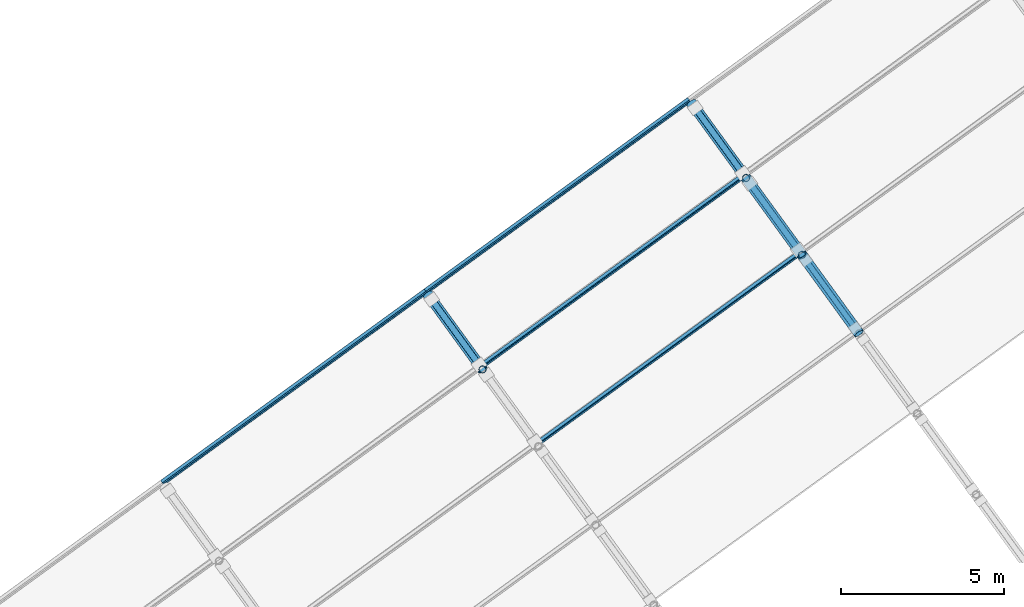
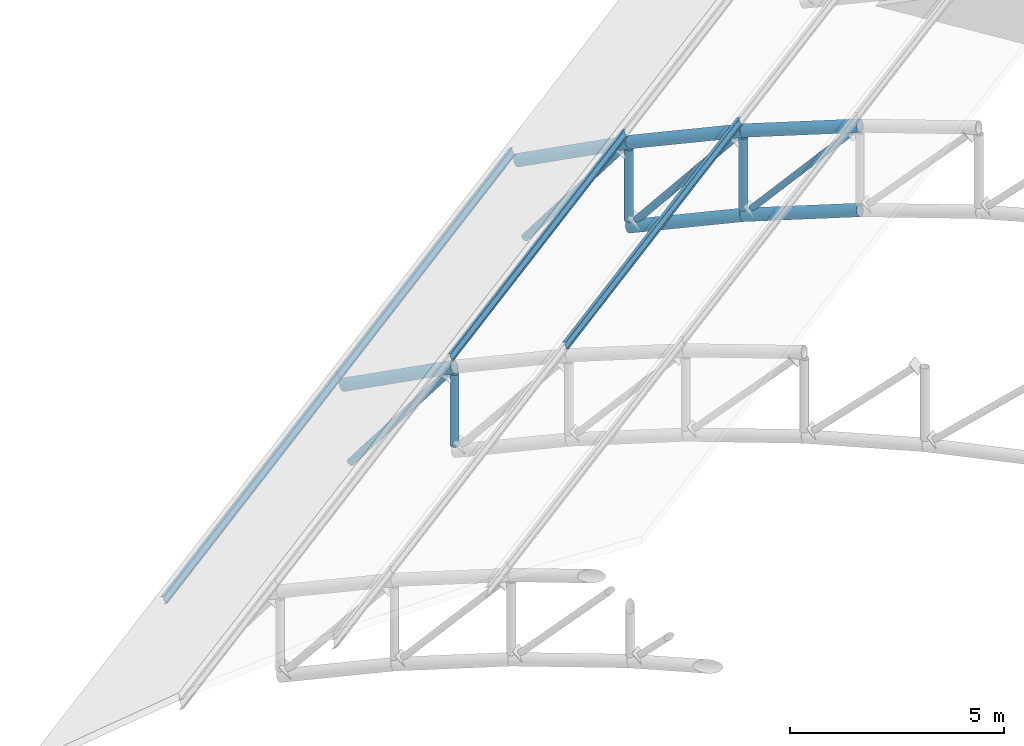
# One storey, part 29 of 69: 13 members, 4 beams.
"""IFC4 building model written with IfcOpenShell, lengths in metres."""

from ifc_helpers import new_model, si_unit, direction, frame, origin, origin_2d, place, context, subcontext, project, spatial, hollow_circle, i_section, extrude, material, material_profile, profile_set, type_object, element, save


model = new_model("IFC4")

# Units and contexts
model_context = context("Model", 3, precision=1e-05, world=origin(), true_north=direction((0.0, 1.0)))
body_context = subcontext(model_context, "Body", "Model", "MODEL_VIEW")
ifc_project = project(units=[si_unit("LENGTHUNIT", "METRE"), si_unit("AREAUNIT", "SQUARE_METRE"), si_unit("VOLUMEUNIT", "CUBIC_METRE"), si_unit("PLANEANGLEUNIT", "RADIAN"), si_unit("MASSUNIT", "GRAM", prefix="KILO")], contexts=[model_context])

# Site, building, storey
site_placement = place(None, origin())
site = spatial("IfcSite", under=ifc_project, at=site_placement, CompositionType="ELEMENT")
building_placement = place(site_placement, origin())
building = spatial("IfcBuilding", under=site, at=building_placement, Name="Okhra Congress Centre", CompositionType="ELEMENT")
storey_placement = place(building_placement, frame((0.0, 0.0, 16.800048828125)))
storey = spatial("IfcBuildingStorey", under=building, at=storey_placement, Name="L03", CompositionType="ELEMENT", Elevation=16.800048828125)

# Members
ifc_material_1 = material(Name="Steel S355J2H", Category="steel")
ifc_material_profile_1 = material_profile(ifc_material_1, hollow_circle(Radius=0.084228515625, WallThickness=0.00634765625, at=origin_2d()), Name="CHS 168.3x6.3")
ifc_profile_set_1 = profile_set([ifc_material_profile_1], Name="Steel S355J2H")
member_type_1 = type_object("IfcMemberType", Name="CHS 168.3x6.3", PredefinedType="BRACE", material=ifc_profile_set_1)
member_1_placement = place(storey_placement, frame((243.663818359375, 222.106689453125, 0.876220703125), z_axis=(0.388305830606, -0.534492302501, 0.750690722258), x_axis=(0.809035390265, 0.587759931689, 0.0)))
element("IfcMember", 1, at=member_1_placement, inside=storey, type_object=member_type_1, Name="Truss 6 diagonal 15", PredefinedType="BRACE", context=body_context, shape_type="SweptSolid", body=[
    extrude(hollow_circle(Radius=0.084228515625, WallThickness=0.00634765625, at=origin_2d()), origin(), (0.0, 0.0, 1.0), 3.8427734375),
])
ifc_material_profile_2 = material_profile(ifc_material_1, hollow_circle(Radius=0.096923828125, WallThickness=0.010009765625, at=origin_2d()), Name="CHS 193.7x10")
ifc_profile_set_2 = profile_set([ifc_material_profile_2], Name="Steel S355J2H")
member_type_2 = type_object("IfcMemberType", Name="CHS 193.7x10", PredefinedType="BRACE", material=ifc_profile_set_2)
member_2_placement = place(storey_placement, frame((232.169677734375, 220.913818359375, -1.60595703125), z_axis=(0.356744311991, -0.491020413212, 0.794753074654), x_axis=(0.809019266757, 0.587782124615, 0.0)))
element("IfcMember", 2, at=member_2_placement, inside=storey, type_object=member_type_2, Name="Truss 5 diagonal 17", PredefinedType="BRACE", context=body_context, shape_type="SweptSolid", body=[
    extrude(hollow_circle(Radius=0.096923828125, WallThickness=0.010009765625, at=origin_2d()), origin(), (0.0, 0.0, 1.0), 4.052734375),
])
member_3_placement = place(storey_placement, frame((241.9404296875, 224.478759765625, -0.28076171875), z_axis=(0.372698991022, -0.51302445178, 0.773240825336), x_axis=(0.809043308787, 0.587749031907, 0.0)))
element("IfcMember", 3, at=member_3_placement, inside=storey, type_object=member_type_2, Name="Truss 6 diagonal 16", PredefinedType="BRACE", context=body_context, shape_type="SweptSolid", body=[
    extrude(hollow_circle(Radius=0.096923828125, WallThickness=0.010009765625, at=origin_2d()), origin(), (0.0, 0.0, 1.0), 3.95458984375),
])
member_4_placement = place(storey_placement, frame((240.259765625, 226.791748046875, -1.60595703125), z_axis=(0.356744311991, -0.491020413212, 0.794753074654), x_axis=(0.809019266757, 0.587782124615, 0.0)))
element("IfcMember", 4, at=member_4_placement, inside=storey, type_object=member_type_2, Name="Truss 6 diagonal 17", PredefinedType="BRACE", context=body_context, shape_type="SweptSolid", body=[
    extrude(hollow_circle(Radius=0.096923828125, WallThickness=0.010009765625, at=origin_2d()), origin(), (0.0, 0.0, 1.0), 4.052734375),
])
ifc_material_profile_3 = material_profile(ifc_material_1, hollow_circle(Radius=0.109619140625, WallThickness=0.008056640625, at=origin_2d()), Name="CHS 219.1x8")
ifc_profile_set_3 = profile_set([ifc_material_profile_3], Name="Steel S355J2H")
member_type_3 = type_object("IfcMemberType", Name="CHS 219.1x8", PredefinedType="POST", material=ifc_profile_set_3)
member_5_placement = place(storey_placement, frame((233.729248046875, 218.767333984375, -0.353271484375), z_axis=(0.0, 0.0, 1.0), x_axis=(1.0, 0.0, 0.0)))
element("IfcMember", 5, at=member_5_placement, inside=storey, type_object=member_type_3, Name="Truss 5 post 16", PredefinedType="POST", context=body_context, shape_type="SweptSolid", body=[
    extrude(hollow_circle(Radius=0.109619140625, WallThickness=0.008056640625, at=origin_2d()), origin(), (0.0, 0.0, 1.0), 2.043212890625),
])
member_6_placement = place(storey_placement, frame((243.535400390625, 222.283447265625, 0.80224609375), z_axis=(0.0, 0.0, 1.0), x_axis=(1.0, 0.0, 0.0)))
element("IfcMember", 6, at=member_6_placement, inside=storey, type_object=member_type_3, Name="Truss 6 post 15", PredefinedType="POST", context=body_context, shape_type="SweptSolid", body=[
    extrude(hollow_circle(Radius=0.109619140625, WallThickness=0.008056640625, at=origin_2d()), origin(), (0.0, 0.0, 1.0), 2.05126953125),
])
member_7_placement = place(storey_placement, frame((241.8193359375, 224.64501953125, -0.353271484375), z_axis=(0.0, 0.0, 1.0), x_axis=(1.0, 0.0, 0.0)))
element("IfcMember", 7, at=member_7_placement, inside=storey, type_object=member_type_3, Name="Truss 6 post 16", PredefinedType="POST", context=body_context, shape_type="SweptSolid", body=[
    extrude(hollow_circle(Radius=0.109619140625, WallThickness=0.008056640625, at=origin_2d()), origin(), (0.0, 0.0, 1.0), 2.043212890625),
])
ifc_material_profile_4 = material_profile(ifc_material_1, hollow_circle(Radius=0.161865234375, WallThickness=0.012451171875, at=origin_2d()), Name="CHS 323.9x12.5")
ifc_profile_set_4 = profile_set([ifc_material_profile_4], Name="Steel S355J2H")
member_type_4 = type_object("IfcMemberType", Name="CHS 323.9x12.5", PredefinedType="CHORD", material=ifc_profile_set_4)
member_8_placement = place(storey_placement, frame((233.729248046875, 218.767333984375, 1.8681640625), z_axis=(-0.532744724434, 0.733204112283, -0.422604766085), x_axis=(-0.808995610274, -0.587814683856, 0.0)))
element("IfcMember", 8, at=member_8_placement, inside=storey, type_object=member_type_4, Name="Truss 5 top chord 17", PredefinedType="CHORD", context=body_context, shape_type="SweptSolid", body=[
    extrude(hollow_circle(Radius=0.161865234375, WallThickness=0.012451171875, at=origin_2d()), origin(), (0.0, 0.0, 1.0), 3.140869140625),
])
for number, where, z_axis, x_axis, name in (
    (9, (245.287841796875, 219.87109375, 1.615966796875), (-0.557901019194, 0.767988293488, -0.314547983377), (-0.809054633064, -0.587733443592, 0.0), "Truss 6 bottom chord 15"),
    (10, (245.287841796875, 219.87109375, 4.01611328125), (-0.557901019194, 0.767988293488, -0.314547983377), (-0.809054633064, -0.587733443592, 0.0), "Truss 6 top chord 15"),
    (11, (243.535400390625, 222.283447265625, 0.6279296875), (-0.546319825222, 0.751821264671, -0.369187533049), (-0.80897109308, -0.587848424818, 0.0), "Truss 6 bottom chord 16"),
    (12, (243.535400390625, 222.283447265625, 3.028076171875), (-0.546304147808, 0.751799690105, -0.369254660156), (-0.80897109308, -0.587848424818, 0.0), "Truss 6 top chord 16"),
    (13, (241.8193359375, 224.64501953125, 1.8681640625), (-0.532714364208, 0.733240051348, -0.42258068255), (-0.809025240298, -0.587773902586, 0.0), "Truss 6 top chord 17"),
):
    element("IfcMember", number, at=place(storey_placement, frame(where, z_axis=z_axis, x_axis=x_axis)), inside=storey, type_object=member_type_4, Name=name, PredefinedType="CHORD", context=body_context, shape_type="SweptSolid", body=[
        extrude(hollow_circle(Radius=0.161865234375, WallThickness=0.012451171875, at=origin_2d()), origin(), (0.0, 0.0, 1.0), 3.14111328125),
    ])

# Beams
ifc_material_2 = material(Name="Steel S355J2", Category="steel")
ifc_material_profile_5 = material_profile(ifc_material_2, i_section(OverallWidth=0.10009765625, OverallDepth=0.199951171875, WebThickness=0.005615234375, FlangeThickness=0.008544921875, FilletRadius=0.011962890625, at=origin_2d()), Name="IPE 200")
ifc_profile_set_5 = profile_set([ifc_material_profile_5], Name="Steel S355J2")
beam_type = type_object("IfcBeamType", Name="IPE 200", PredefinedType="BEAM", material=ifc_profile_set_5)
for number, where, z_axis, x_axis, name in (
    (14, (235.39306640625, 216.477294921875, 3.271240234375), (0.809022099746, 0.587778225288, 0.0), (-0.552330860962, 0.760232097184, -0.342020143326), "Purlin 16.95"),
    (15, (233.6689453125, 218.850341796875, 2.10595703125), (0.809022099746, 0.587778225288, 0.0), (-0.539707433735, 0.74285712281, -0.396079766034), "Purlin 17.101"),
    (16, (223.8974609375, 215.28662109375, 0.772216796875), (0.809022099746, 0.587778225288, 0.0), (-0.525257807387, 0.722968555074, -0.448799180206), "Purlin 18.106"),
):
    element("IfcBeam", number, at=place(storey_placement, frame(where, z_axis=z_axis, x_axis=x_axis)), inside=storey, type_object=beam_type, Name=name, PredefinedType="BEAM", context=body_context, shape_type="SweptSolid", body=[
        extrude(i_section(OverallWidth=0.10009765625, OverallDepth=0.199951171875, WebThickness=0.005615234375, FlangeThickness=0.008544921875, FilletRadius=0.011962890625, at=origin_2d()), origin(), (0.0, 0.0, 1.0), 9.999755859375),
    ])
beam_placement = place(storey_placement, frame((231.987548828125, 221.164306640625, 0.772216796875), z_axis=(0.809018924928, 0.587782595105, 0.0), x_axis=(-0.525261712398, 0.722965717953, -0.448799180206)))
element("IfcBeam", 17, at=beam_placement, inside=storey, type_object=beam_type, Name="Purlin 18.107", PredefinedType="BEAM", context=body_context, shape_type="SweptSolid", body=[
    extrude(i_section(OverallWidth=0.10009765625, OverallDepth=0.199951171875, WebThickness=0.005615234375, FlangeThickness=0.008544921875, FilletRadius=0.011962890625, at=origin_2d()), origin(), (0.0, 0.0, 1.0), 10.000244140625),
])

save(model, "model.ifc")
